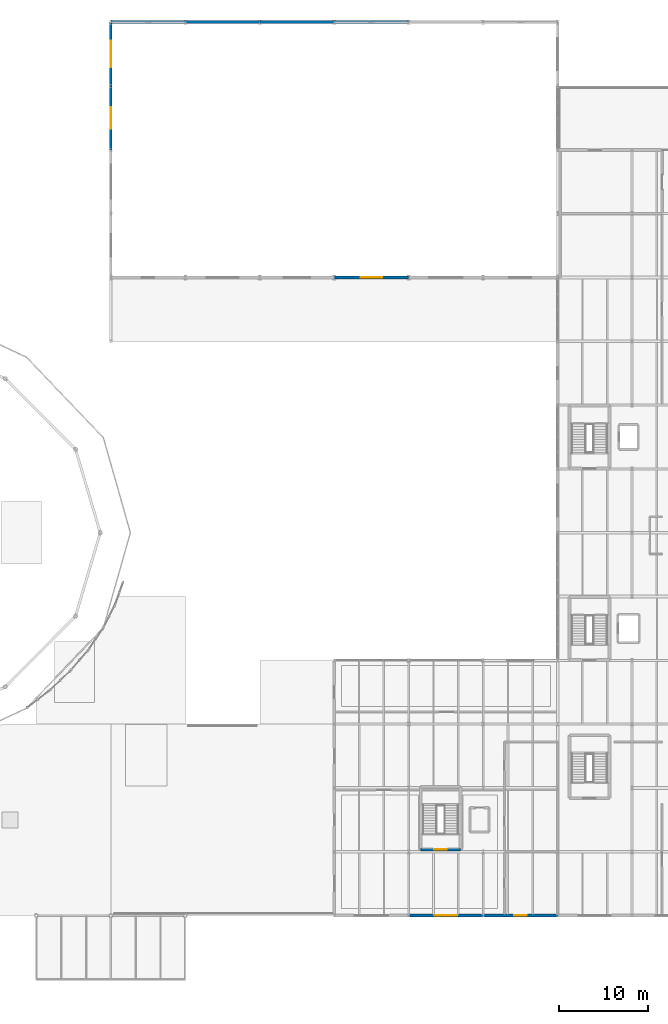
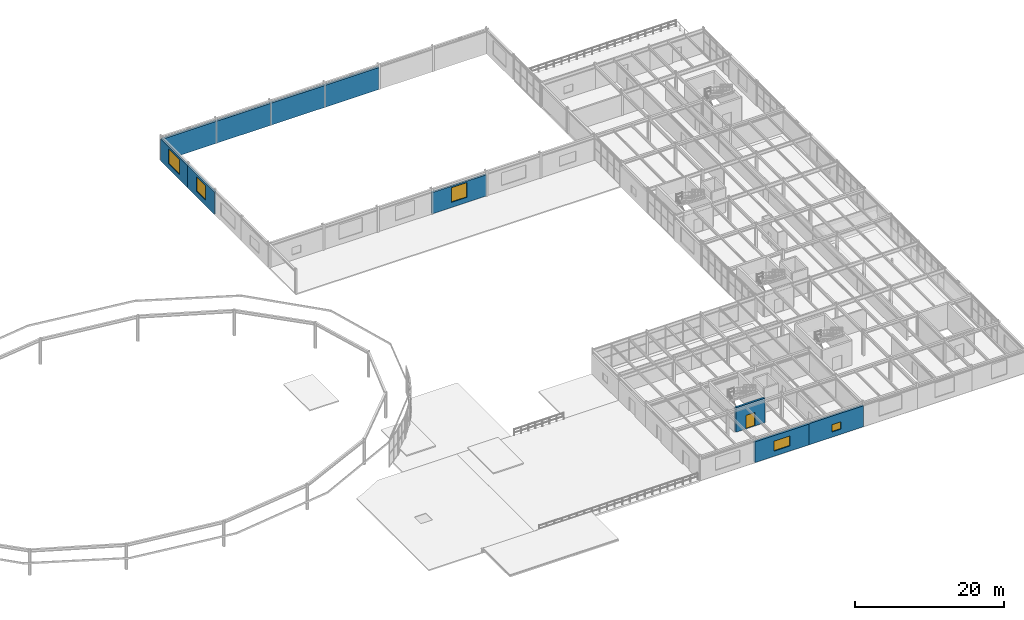
# One storey, part 64 of 73: 10 walls, 5 windows, 1 door, 6 openings.
"""IFC4 building model written with IfcOpenShell, lengths in metres."""

import ifcopenshell
import ifcopenshell.guid

model = None  # the IFC model being written
_history = None  # IfcOwnerHistory: only IFC2X3 demands one
_inside = {}  # id of a spatial element -> (the spatial element, [elements in it])
_under = {}  # id of a project, library or spatial element -> (it, [spatial elements below it])
_declared = {}  # id of a project -> (the project, [libraries it declares])
_typed = {}  # id of a type object -> (the type object, [elements of that type])
_made_of = {}  # id of a material, layer set ... -> (it, [elements and type objects made of it])


def new_model(schema):
    """Start an empty IFC model of exactly this schema.

    Asked for "IFC4X3", IfcOpenShell would pick the latest addendum, in which some entities
    have other attributes; the version numbers below select the first issue.
    IFC2X3 requires an IfcOwnerHistory on every rooted entity: one is made here for all.
    """
    global model, _history
    if schema == "IFC4X3":
        model = ifcopenshell.file(schema_version=(4, 3, 0, 0))
    else:
        model = ifcopenshell.file(schema=schema)
    _inside.clear()
    _under.clear()
    _declared.clear()
    _typed.clear()
    _made_of.clear()
    _history = None
    if model.schema == "IFC2X3":
        org = make("IfcOrganization", Name="unknown")
        user = make(
            "IfcPersonAndOrganization",
            ThePerson=make("IfcPerson", FamilyName="unknown"),
            TheOrganization=org,
        )
        app = make(
            "IfcApplication",
            ApplicationDeveloper=org,
            Version="unknown",
            ApplicationFullName="unknown",
            ApplicationIdentifier="unknown",
        )
        _history = make(
            "IfcOwnerHistory",
            OwningUser=user,
            OwningApplication=app,
            ChangeAction="ADDED",
            CreationDate=0,
        )
    return model


def make(cls, **values):
    """One entity of the class cls with the attributes given. An attribute that is None is left unset."""
    return model.create_entity(
        cls, **{name: value for name, value in values.items() if value is not None}
    )


def rooted(cls, **values):
    """An entity with a GlobalId (a new one), such as an element, a storey or a relation."""
    return make(cls, GlobalId=ifcopenshell.guid.new(), OwnerHistory=_history, **values)


def si_unit(unit_type, name, prefix=None):
    """IfcSIUnit, for example si_unit("LENGTHUNIT", "METRE", prefix="MILLI")."""
    return make("IfcSIUnit", UnitType=unit_type, Prefix=prefix, Name=name)


def derived_unit(unit_type, elements):
    """IfcDerivedUnit: a product of units, each with its exponent."""
    return make(
        "IfcDerivedUnit",
        Elements=[
            make("IfcDerivedUnitElement", Unit=unit, Exponent=power)
            for unit, power in elements
        ],
        UnitType=unit_type,
    )


def assignment(units):
    """IfcUnitAssignment: the units of a project."""
    return None if units is None else make("IfcUnitAssignment", Units=units)


def point(xyz):
    """IfcCartesianPoint."""
    return None if xyz is None else make("IfcCartesianPoint", Coordinates=xyz)


def direction(xyz):
    """IfcDirection."""
    return None if xyz is None else make("IfcDirection", DirectionRatios=xyz)


def frame(location, z_axis=None, x_axis=None):
    """IfcAxis2Placement3D, a coordinate frame: its origin and axes. An axis left out is left unset."""
    return make(
        "IfcAxis2Placement3D",
        Location=point(location),
        Axis=direction(z_axis),
        RefDirection=direction(x_axis),
    )


def frame_2d(location, x_axis=None):
    """IfcAxis2Placement2D, a coordinate frame in the plane: its origin and x axis."""
    return make(
        "IfcAxis2Placement2D", Location=point(location), RefDirection=direction(x_axis)
    )


def origin():
    """The frame at (0, 0, 0) with its axes left unset."""
    return frame((0.0, 0.0, 0.0))


def place(relative_to, where):
    """IfcLocalPlacement: puts the frame where relative to a parent placement (None: the world)."""
    return make(
        "IfcLocalPlacement", PlacementRelTo=relative_to, RelativePlacement=where
    )


def context(
    kind, dimensions, precision=None, world=None, true_north=None, identifier=None
):
    """IfcGeometricRepresentationContext, for example the 3D "Model" context."""
    return make(
        "IfcGeometricRepresentationContext",
        ContextIdentifier=identifier,
        ContextType=kind,
        CoordinateSpaceDimension=dimensions,
        Precision=precision,
        WorldCoordinateSystem=world,
        TrueNorth=true_north,
    )


def subcontext(parent, identifier, kind, view, scale=None):
    """IfcGeometricRepresentationSubContext, for example "Body" below "Model"."""
    return make(
        "IfcGeometricRepresentationSubContext",
        ContextIdentifier=identifier,
        ContextType=kind,
        ParentContext=parent,
        TargetScale=scale,
        TargetView=view,
    )


def project(units=None, contexts=None):
    """IfcProject with its units and contexts."""
    return rooted(
        "IfcProject",
        Name="project",
        RepresentationContexts=contexts,
        UnitsInContext=assignment(units),
    )


def spatial(cls, under=None, at=None, **own):
    """A site, building, storey or space (cls), placed at a placement, below another one or the project."""
    s = rooted(cls, ObjectPlacement=at, **own)
    if under is not None:
        _under.setdefault(under.id(), (under, []))[1].append(s)
    return s


def profile(cls, at=None, kind="AREA", **sizes):
    """A parametric profile (cls). Its sizes go by their IFC names, for example OverallWidth=200.0."""
    return make(cls, ProfileType=kind, Position=at, **sizes)


def rectangle(**sizes):
    """IfcRectangleProfileDef."""
    return profile("IfcRectangleProfileDef", **sizes)


def extrude(swept, where, along, depth):
    """IfcExtrudedAreaSolid: the profile swept, set in the frame where, extruded along a direction by depth."""
    return make(
        "IfcExtrudedAreaSolid",
        SweptArea=swept,
        Position=where,
        ExtrudedDirection=direction(along),
        Depth=depth,
    )


def shape(context_of_items, identifier, shape_type, items):
    """IfcShapeRepresentation: the items that make up one representation, for example the "Body"."""
    return make(
        "IfcShapeRepresentation",
        ContextOfItems=context_of_items,
        RepresentationIdentifier=identifier,
        RepresentationType=shape_type,
        Items=items,
    )


def material(Name=None, Category=None):
    """IfcMaterial."""
    return make("IfcMaterial", Name=Name, Category=Category)


def layer(
    of_material, thickness, ventilated=None, Name=None, Category=None, Priority=None
):
    """IfcMaterialLayer: one layer of a wall or slab, of a material (None: an air gap)."""
    return make(
        "IfcMaterialLayer",
        Material=of_material,
        LayerThickness=thickness,
        IsVentilated=ventilated,
        Name=Name,
        Category=Category,
        Priority=Priority,
    )


def layer_set(layers, Name=None):
    """IfcMaterialLayerSet."""
    return make("IfcMaterialLayerSet", MaterialLayers=layers, LayerSetName=Name)


def made_of(thing, what):
    """Note that an element or type object is made of a material, layer set ...; save() writes the relation."""
    if what is not None:
        _made_of.setdefault(what.id(), (what, []))[1].append(thing)
    return thing


def type_object(cls, material=None, **own):
    """A type object (cls), such as IfcWallType, which elements share."""
    return made_of(rooted(cls, **own), material)


def element(
    cls,
    number,
    at=None,
    inside=None,
    cuts=None,
    type_object=None,
    material=None,
    context=None,
    identifier="Body",
    shape_type=None,
    held_by="IfcProductDefinitionShape",
    body=None,
    shapes=None,
    **own,
):
    """One element of the class cls, such as IfcWall. Its Tag is "e" and its number.

    at: its placement. inside: the storey or other place that contains it. cuts: it is an
    opening in that element (IfcRelVoidsElement). A single representation is given by context,
    identifier, shape_type and body (its items); several are given by shapes. held_by: the class
    of the entity that holds the representations. save() writes the other relations.
    """
    e = rooted(cls, Tag="e%d" % number, ObjectPlacement=at, **own)
    if body is not None:
        shapes = [shape(context, identifier, shape_type, body)]
    if shapes is not None:
        e.Representation = make(held_by, Representations=shapes)
    if inside is not None:
        _inside.setdefault(inside.id(), (inside, []))[1].append(e)
    if cuts is not None:
        rooted(
            "IfcRelVoidsElement", RelatingBuildingElement=cuts, RelatedOpeningElement=e
        )
    if type_object is not None:
        _typed.setdefault(type_object.id(), (type_object, []))[1].append(e)
    return made_of(e, material)


def fill(opening, filler):
    """IfcRelFillsElement: the door or window that sits in an opening."""
    return rooted(
        "IfcRelFillsElement",
        RelatingOpeningElement=opening,
        RelatedBuildingElement=filler,
    )


def aggregate(whole, parts):
    """IfcRelAggregates: a whole, such as a stair, and the parts it consists of."""
    return rooted("IfcRelAggregates", RelatingObject=whole, RelatedObjects=parts)


def save(model, path):
    """Write the relations noted so far, then the file.

    IfcRelAggregates (storeys below a building ...), IfcRelContainedInSpatialStructure (elements
    in a storey), IfcRelDefinesByType, IfcRelAssociatesMaterial and IfcRelDeclares: one each for
    every whole, place, type object, material and project.
    """
    for whole, parts in _under.values():
        aggregate(whole, parts)
    for where, things in _inside.values():
        rooted(
            "IfcRelContainedInSpatialStructure",
            RelatedElements=things,
            RelatingStructure=where,
        )
    for kind, things in _typed.values():
        rooted("IfcRelDefinesByType", RelatedObjects=things, RelatingType=kind)
    for what, things in _made_of.values():
        rooted("IfcRelAssociatesMaterial", RelatedObjects=things, RelatingMaterial=what)
    for by, libraries in _declared.values():
        rooted("IfcRelDeclares", RelatingContext=by, RelatedDefinitions=libraries)
    model.write(path)


model = new_model("IFC4")

# Units and contexts
model_context = context("Model", 3, precision=1e-05, world=origin(), true_north=direction((0.0, 1.0)))
body_context = subcontext(model_context, "Body", "Model", "MODEL_VIEW")
ifc_project = project(units=[si_unit("LENGTHUNIT", "METRE"), si_unit("AREAUNIT", "SQUARE_METRE"), si_unit("VOLUMEUNIT", "CUBIC_METRE"), si_unit("PLANEANGLEUNIT", "RADIAN"), si_unit("MASSUNIT", "GRAM", prefix="KILO"), derived_unit("THERMALTRANSMITTANCEUNIT", [(si_unit("MASSUNIT", "GRAM", prefix="KILO"), 1), (si_unit("TIMEUNIT", "SECOND"), -3), (si_unit("THERMODYNAMICTEMPERATUREUNIT", "KELVIN"), -1)])], contexts=[model_context])

# Site, building, storey
site_placement = place(None, origin())
site = spatial("IfcSite", under=ifc_project, at=site_placement, CompositionType="ELEMENT")
building_placement = place(site_placement, origin())
building = spatial("IfcBuilding", under=site, at=building_placement, Name="Kharveza Railside Sports Centre", CompositionType="ELEMENT")
storey_placement = place(building_placement, frame((0.0, 0.0, 8.699951171875)))
storey = spatial("IfcBuildingStorey", under=building, at=storey_placement, Name="L02", CompositionType="ELEMENT", Elevation=8.699951171875)

# Walls
ifc_material_1 = material(Name="Acoustic mineral-wool metal cladding panel")
ifc_layer_1 = layer(ifc_material_1, 0.340087890625, Name="Acoustic mineral-wool metal cladding panel")
ifc_layer_set_1 = layer_set([ifc_layer_1], Name="Acoustic mineral-wool metal cladding panel")
wall_type_1 = type_object("IfcWallType", Name="WL-AC340", PredefinedType="STANDARD", material=ifc_layer_set_1)
wall_1_placement = place(storey_placement, frame((126.0, 108.0, 0.0), z_axis=(0.0, 0.0, 1.0), x_axis=(-1.0, 0.0, 0.0)))
element("IfcWall", 1, at=wall_1_placement, inside=storey, type_object=wall_type_1, Name="WL-EXT-L02-183", PredefinedType="STANDARD", context=body_context, shape_type="SweptSolid", body=[
    extrude(rectangle(XDim=8.39990234375, YDim=0.340087890625, at=frame_2d((4.199951171875, 0.0))), origin(), (0.0, 0.0, 1.0), 3.594970703125),
])
wall_2_placement = place(storey_placement, frame((117.60009765625, 108.0, 0.0), z_axis=(0.0, 0.0, 1.0), x_axis=(-1.0, 0.0, 0.0)))
element("IfcWall", 2, at=wall_2_placement, inside=storey, type_object=wall_type_1, Name="WL-EXT-L02-184", PredefinedType="STANDARD", context=body_context, shape_type="SweptSolid", body=[
    extrude(rectangle(XDim=8.400146484375, YDim=0.340087890625, at=frame_2d((4.2001953125, 0.0))), origin(), (0.0, 0.0, 1.0), 3.594970703125),
])
wall_3_placement = place(storey_placement, frame((109.199951171875, 108.0, 0.0), z_axis=(0.0, 0.0, 1.0), x_axis=(-1.0, 0.0, 0.0)))
element("IfcWall", 3, at=wall_3_placement, inside=storey, type_object=wall_type_1, Name="WL-EXT-L02-185", PredefinedType="STANDARD", context=body_context, shape_type="SweptSolid", body=[
    extrude(rectangle(XDim=8.39990234375, YDim=0.340087890625, at=frame_2d((4.199951171875, 0.0))), origin(), (0.0, 0.0, 1.0), 3.594970703125),
])
wall_4_placement = place(storey_placement, frame((100.800048828125, 108.0, 0.0), z_axis=(0.0, 0.0, 1.0), x_axis=(-1.0, 0.0, 0.0)))
element("IfcWall", 4, at=wall_4_placement, inside=storey, type_object=wall_type_1, Name="WL-EXT-L02-186", PredefinedType="STANDARD", context=body_context, shape_type="SweptSolid", body=[
    extrude(rectangle(XDim=8.400146484375, YDim=0.340087890625, at=frame_2d((4.2001953125, 0.0))), origin(), (0.0, 0.0, 1.0), 3.594970703125),
])

# Wall, opening, door
ifc_material_2 = material(Name="Concrete C35/45", Category="concrete")
ifc_layer_2 = layer(ifc_material_2, 0.300048828125, Name="Concrete C35/45")
ifc_layer_set_2 = layer_set([ifc_layer_2], Name="Concrete C35/45")
wall_type_2 = type_object("IfcWallType", Name="WL-CR300", PredefinedType="SHEAR", material=ifc_layer_set_2)
wall_5_placement = place(storey_placement, frame((127.35009765625, 14.64990234375, 0.0), z_axis=(0.0, 0.0, 1.0), x_axis=(1.0, 0.0, 0.0)))
wall_5 = element("IfcWall", 5, at=wall_5_placement, inside=storey, type_object=wall_type_2, Name="WL-CORE-ST3-L02-S", PredefinedType="SHEAR", context=body_context, shape_type="SweptSolid", body=[
    extrude(rectangle(XDim=4.5, YDim=0.300048828125, at=frame_2d((2.25, 0.0))), origin(), (0.0, 0.0, 1.0), 4.0),
])
opening_1_placement = place(wall_5_placement, frame((1.550048828125, 0.0, 0.0)))
opening_1 = element("IfcOpeningElement", 6, at=opening_1_placement, cuts=wall_5, Name="Opening D09", PredefinedType="OPENING", context=body_context, shape_type="SweptSolid", body=[
    extrude(rectangle(XDim=1.39990234375, YDim=2.199951171875, at=frame_2d((0.699951171875, 1.10009765625))), frame((0.0, 0.1748046875, 0.0), z_axis=(0.0, -1.0, 0.0), x_axis=(1.0, 0.0, 0.0)), (0.0, 0.0, 1.0), 0.349853515625),
])
ifc_material_3 = material(Name="Fire-rated hardwood door leaf", Category="wood")
door_type = type_object("IfcDoorType", Name="DR-ST02", OperationType="NOTDEFINED", PredefinedType="DOOR", material=ifc_material_3)
door_placement = place(opening_1_placement, frame((1.39990234375, 0.0, 0.0), z_axis=(0.0, 0.0, 1.0), x_axis=(-1.0, 0.0, 0.0)))
door = element("IfcDoor", 7, at=door_placement, inside=storey, type_object=door_type, Name="DR-ST-ST3-L02", OperationType="SINGLE_SWING_RIGHT", OverallHeight=2.199951171875, OverallWidth=1.39990234375, PredefinedType="DOOR", context=body_context, shape_type="SweptSolid", body=[
    extrude(rectangle(XDim=1.39990234375, YDim=2.199951171875, at=frame_2d((0.699951171875, 1.10009765625))), frame((0.0, 0.02490234375, 0.0), z_axis=(0.0, -1.0, 0.0), x_axis=(1.0, 0.0, 0.0)), (0.0, 0.0, 1.0), 0.050048828125),
])
fill(opening_1, door)

# Wall, opening, window
ifc_layer_3 = layer(ifc_material_1, 0.2900390625, Name="Acoustic mineral-wool metal cladding panel")
ifc_layer_set_3 = layer_set([ifc_layer_3], Name="Acoustic mineral-wool metal cladding panel")
wall_type_3 = type_object("IfcWallType", Name="WL-EX290", PredefinedType="STANDARD", material=ifc_layer_set_3)
wall_6_placement = place(storey_placement, frame((92.39990234375, 108.0, 0.0), z_axis=(0.0, 0.0, 1.0), x_axis=(0.0, -1.0, 0.0)))
wall_6 = element("IfcWall", 8, at=wall_6_placement, inside=storey, type_object=wall_type_3, Name="WL-EXT-L02-187", PredefinedType="STANDARD", context=body_context, shape_type="SweptSolid", body=[
    extrude(rectangle(XDim=7.199951171875, YDim=0.2900390625, at=frame_2d((3.60009765625, 0.0))), origin(), (0.0, 0.0, 1.0), 3.594970703125),
])
opening_2_placement = place(wall_6_placement, frame((2.10009765625, 0.0, 0.85009765625)))
opening_2 = element("IfcOpeningElement", 9, at=opening_2_placement, cuts=wall_6, Name="Opening WN02", PredefinedType="OPENING", context=body_context, shape_type="SweptSolid", body=[
    extrude(rectangle(XDim=3.0, YDim=2.39990234375, at=frame_2d((1.5, 1.199951171875))), frame((0.0, 0.169921875, 0.0), z_axis=(0.0, -1.0, 0.0), x_axis=(1.0, 0.0, 0.0)), (0.0, 0.0, 1.0), 0.33984375),
])
ifc_material_4 = material(Name="Low-E solar-control laminated glass", Category="glass")
window_type_1 = type_object("IfcWindowType", Name="WN-F02", PartitioningType="SINGLE_PANEL", PredefinedType="WINDOW", material=ifc_material_4)
window_1_placement = place(opening_2_placement, origin())
window_1 = element("IfcWindow", 10, at=window_1_placement, inside=storey, type_object=window_type_1, Name="WN-EXT-L02-101", OverallHeight=2.39990234375, OverallWidth=3.0, PartitioningType="SINGLE_PANEL", PredefinedType="WINDOW", context=body_context, shape_type="SweptSolid", body=[
    extrude(rectangle(XDim=3.0, YDim=2.39990234375, at=frame_2d((1.5, 1.199951171875))), frame((0.0, 0.030029296875, 0.0), z_axis=(0.0, -1.0, 0.0), x_axis=(1.0, 0.0, 0.0)), (0.0, 0.0, 1.0), 0.06005859375),
])
fill(opening_2, window_1)

wall_7_placement = place(storey_placement, frame((92.39990234375, 100.800048828125, 0.0), z_axis=(0.0, 0.0, 1.0), x_axis=(0.0, -1.0, 0.0)))
wall_7 = element("IfcWall", 11, at=wall_7_placement, inside=storey, type_object=wall_type_3, Name="WL-EXT-L02-188", PredefinedType="STANDARD", context=body_context, shape_type="SweptSolid", body=[
    extrude(rectangle(XDim=7.199951171875, YDim=0.2900390625, at=frame_2d((3.60009765625, 0.0))), origin(), (0.0, 0.0, 1.0), 3.675048828125),
])
opening_3_placement = place(wall_7_placement, frame((2.39990234375, 0.0, 0.85009765625)))
opening_3 = element("IfcOpeningElement", 12, at=opening_3_placement, cuts=wall_7, Name="Opening WN03", PredefinedType="OPENING", context=body_context, shape_type="SweptSolid", body=[
    extrude(rectangle(XDim=2.39990234375, YDim=2.39990234375, at=frame_2d((1.199951171875, 1.199951171875))), frame((0.0, 0.169921875, 0.0), z_axis=(0.0, -1.0, 0.0), x_axis=(1.0, 0.0, 0.0)), (0.0, 0.0, 1.0), 0.33984375),
])
window_type_2 = type_object("IfcWindowType", Name="WN-F03", PartitioningType="SINGLE_PANEL", PredefinedType="WINDOW", material=ifc_material_4)
window_2_placement = place(opening_3_placement, origin())
window_2 = element("IfcWindow", 13, at=window_2_placement, inside=storey, type_object=window_type_2, Name="WN-EXT-L02-102", OverallHeight=2.39990234375, OverallWidth=2.39990234375, PartitioningType="SINGLE_PANEL", PredefinedType="WINDOW", context=body_context, shape_type="SweptSolid", body=[
    extrude(rectangle(XDim=2.39990234375, YDim=2.39990234375, at=frame_2d((1.199951171875, 1.199951171875))), frame((0.0, 0.030029296875, 0.0), z_axis=(0.0, -1.0, 0.0), x_axis=(1.0, 0.0, 0.0)), (0.0, 0.0, 1.0), 0.06005859375),
])
fill(opening_3, window_2)

wall_8_placement = place(storey_placement, frame((117.60009765625, 79.199951171875, 0.0), z_axis=(0.0, 0.0, 1.0), x_axis=(1.0, 0.0, 0.0)))
wall_8 = element("IfcWall", 14, at=wall_8_placement, inside=storey, type_object=wall_type_3, Name="WL-EXT-L02-194", PredefinedType="STANDARD", context=body_context, shape_type="SweptSolid", body=[
    extrude(rectangle(XDim=8.39990234375, YDim=0.2900390625, at=frame_2d((4.199951171875, 0.0))), origin(), (0.0, 0.0, 1.0), 3.485107421875),
])
opening_4_placement = place(wall_8_placement, frame((3.0, 0.0, 0.85009765625)))
opening_4 = element("IfcOpeningElement", 15, at=opening_4_placement, cuts=wall_8, Name="Opening WN03", PredefinedType="OPENING", context=body_context, shape_type="SweptSolid", body=[
    extrude(rectangle(XDim=2.39990234375, YDim=2.39990234375, at=frame_2d((1.199951171875, 1.199951171875))), frame((0.0, 0.169921875, 0.0), z_axis=(0.0, -1.0, 0.0), x_axis=(1.0, 0.0, 0.0)), (0.0, 0.0, 1.0), 0.33984375),
])
window_3_placement = place(opening_4_placement, origin())
window_3 = element("IfcWindow", 16, at=window_3_placement, inside=storey, type_object=window_type_2, Name="WN-EXT-L02-108", OverallHeight=2.39990234375, OverallWidth=2.39990234375, PartitioningType="SINGLE_PANEL", PredefinedType="WINDOW", context=body_context, shape_type="SweptSolid", body=[
    extrude(rectangle(XDim=2.39990234375, YDim=2.39990234375, at=frame_2d((1.199951171875, 1.199951171875))), frame((0.0, 0.030029296875, 0.0), z_axis=(0.0, -1.0, 0.0), x_axis=(1.0, 0.0, 0.0)), (0.0, 0.0, 1.0), 0.06005859375),
])
fill(opening_4, window_3)

ifc_material_5 = material(Name="Precast concrete C40/50", Category="concrete")
ifc_layer_4 = layer(ifc_material_5, 0.320068359375, Name="Precast concrete C40/50")
ifc_layer_set_4 = layer_set([ifc_layer_4], Name="Precast concrete C40/50")
wall_type_4 = type_object("IfcWallType", Name="WL-EX320", PredefinedType="STANDARD", material=ifc_layer_set_4)
wall_9_placement = place(storey_placement, frame((126.0, 7.199951171875, 0.0), z_axis=(0.0, 0.0, 1.0), x_axis=(1.0, 0.0, 0.0)))
wall_9 = element("IfcWall", 17, at=wall_9_placement, inside=storey, type_object=wall_type_4, Name="WL-EXT-L02-166", PredefinedType="STANDARD", context=body_context, shape_type="SweptSolid", body=[
    extrude(rectangle(XDim=8.39990234375, YDim=0.320068359375, at=frame_2d((4.199951171875, 0.0))), origin(), (0.0, 0.0, 1.0), 3.405029296875),
])
opening_5_placement = place(wall_9_placement, frame((2.949951171875, 0.0, 0.85009765625)))
opening_5 = element("IfcOpeningElement", 18, at=opening_5_placement, cuts=wall_9, Name="Opening WN21", PredefinedType="OPENING", context=body_context, shape_type="SweptSolid", body=[
    extrude(rectangle(XDim=2.5, YDim=1.64990234375, at=frame_2d((1.25, 0.824951171875))), frame((0.0, 0.18505859375, 0.0), z_axis=(0.0, -1.0, 0.0), x_axis=(1.0, 0.0, 0.0)), (0.0, 0.0, 1.0), 0.369873046875),
])
window_type_3 = type_object("IfcWindowType", Name="WN-Z05", PartitioningType="SINGLE_PANEL", PredefinedType="WINDOW", material=ifc_material_4)
window_4_placement = place(opening_5_placement, origin())
window_4 = element("IfcWindow", 19, at=window_4_placement, inside=storey, type_object=window_type_3, Name="WN-EXT-L02-090", OverallHeight=1.64990234375, OverallWidth=2.5, PartitioningType="SINGLE_PANEL", PredefinedType="WINDOW", context=body_context, shape_type="SweptSolid", body=[
    extrude(rectangle(XDim=2.5, YDim=1.64990234375, at=frame_2d((1.25, 0.824951171875))), frame((0.0, 0.030029296875, 0.0), z_axis=(0.0, -1.0, 0.0), x_axis=(1.0, 0.0, 0.0)), (0.0, 0.0, 1.0), 0.06005859375),
])
fill(opening_5, window_4)

wall_10_placement = place(storey_placement, frame((134.39990234375, 7.199951171875, 0.0), z_axis=(0.0, 0.0, 1.0), x_axis=(1.0, 0.0, 0.0)))
wall_10 = element("IfcWall", 20, at=wall_10_placement, inside=storey, type_object=wall_type_4, Name="WL-EXT-L02-167", PredefinedType="STANDARD", context=body_context, shape_type="SweptSolid", body=[
    extrude(rectangle(XDim=8.400146484375, YDim=0.320068359375, at=frame_2d((4.2001953125, 0.0))), origin(), (0.0, 0.0, 1.0), 3.455078125),
])
opening_6_placement = place(wall_10_placement, frame((3.5, 0.0, 0.85009765625)))
opening_6 = element("IfcOpeningElement", 21, at=opening_6_placement, cuts=wall_10, Name="Opening WN26", PredefinedType="OPENING", context=body_context, shape_type="SweptSolid", body=[
    extrude(rectangle(XDim=1.39990234375, YDim=1.199951171875, at=frame_2d((0.699951171875, 0.60009765625))), frame((0.0, 0.18505859375, 0.0), z_axis=(0.0, -1.0, 0.0), x_axis=(1.0, 0.0, 0.0)), (0.0, 0.0, 1.0), 0.369873046875),
])
window_type_4 = type_object("IfcWindowType", Name="WN-Z10", PartitioningType="SINGLE_PANEL", PredefinedType="WINDOW", material=ifc_material_4)
window_5_placement = place(opening_6_placement, origin())
window_5 = element("IfcWindow", 22, at=window_5_placement, inside=storey, type_object=window_type_4, Name="WN-EXT-L02-091", OverallHeight=1.199951171875, OverallWidth=1.39990234375, PartitioningType="SINGLE_PANEL", PredefinedType="WINDOW", context=body_context, shape_type="SweptSolid", body=[
    extrude(rectangle(XDim=1.39990234375, YDim=1.199951171875, at=frame_2d((0.699951171875, 0.60009765625))), frame((0.0, 0.030029296875, 0.0), z_axis=(0.0, -1.0, 0.0), x_axis=(1.0, 0.0, 0.0)), (0.0, 0.0, 1.0), 0.06005859375),
])
fill(opening_6, window_5)

save(model, "model.ifc")
